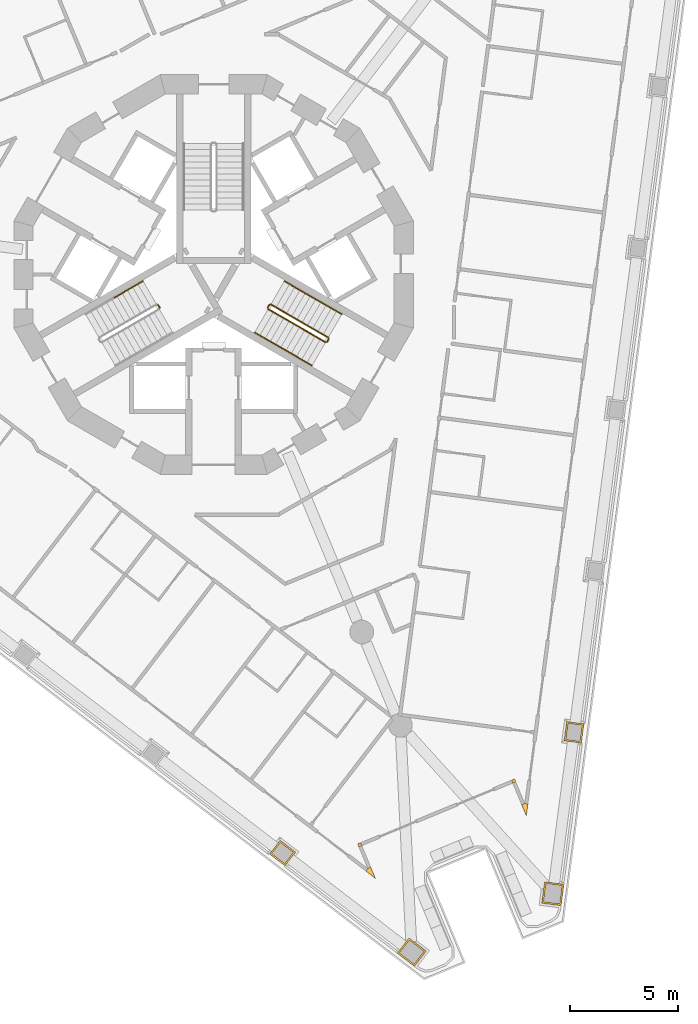
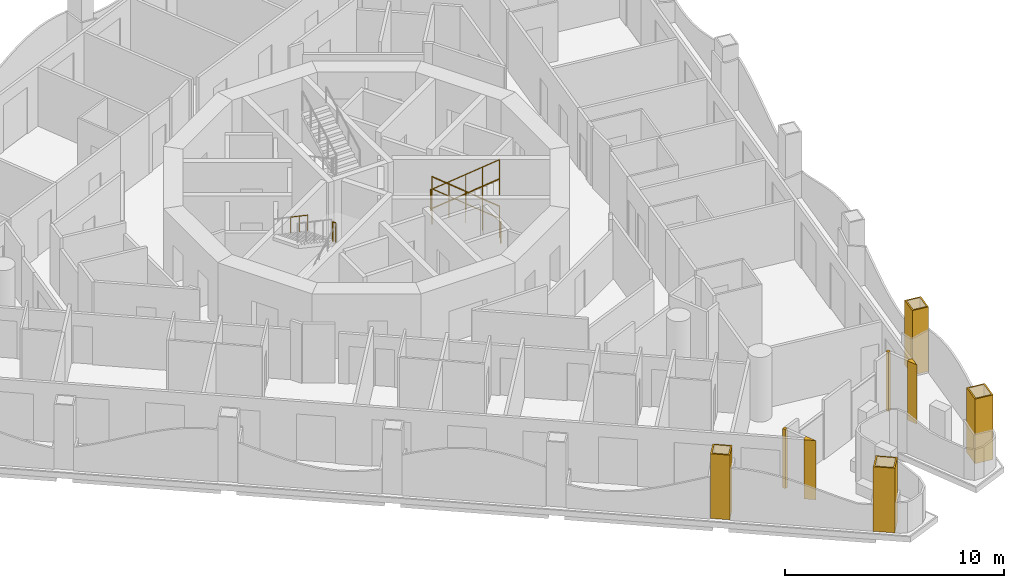
# One storey, part 13 of 17: 10 railings, 8 coverings.
"""IFC4 building model written with IfcOpenShell, lengths in metres."""

from ifc_helpers import new_model, si_unit, direction, frame, origin, origin_2d, place, context, subcontext, project, spatial, polyline, circle, outline, extrude, material, layer, layer_set, type_object, element, save


model = new_model("IFC4")

# Units and contexts
model_context = context("Model", 3, precision=1e-05, world=origin(), true_north=direction((0.0, 1.0)))
body_context = subcontext(model_context, "Body", "Model", "MODEL_VIEW")
ifc_project = project(units=[si_unit("LENGTHUNIT", "METRE"), si_unit("AREAUNIT", "SQUARE_METRE"), si_unit("VOLUMEUNIT", "CUBIC_METRE"), si_unit("PLANEANGLEUNIT", "RADIAN"), si_unit("MASSUNIT", "GRAM", prefix="KILO")], contexts=[model_context])

# Site, building, storey
site_placement = place(None, origin())
site = spatial("IfcSite", under=ifc_project, at=site_placement, CompositionType="ELEMENT")
building_placement = place(site_placement, origin())
building = spatial("IfcBuilding", under=site, at=building_placement, Name="Trine Commons Tower", CompositionType="ELEMENT")
storey_placement = place(building_placement, frame((0.0, 0.0, 127.800048828125)))
storey = spatial("IfcBuildingStorey", under=building, at=storey_placement, Name="L32", CompositionType="ELEMENT", Elevation=127.800048828125)

# Coverings
ifc_material_1 = material(Name="Aluminium-framed insulated wall panel", Category="aluminium")
ifc_layer_1 = layer(ifc_material_1, 0.14990234375)
ifc_layer_set_1 = layer_set([ifc_layer_1], Name="Aluminium-framed insulated wall panel")
covering_type_1 = type_object("IfcCoveringType", Name="Glazing corner post, aluminium", PredefinedType="CLADDING", material=ifc_layer_set_1)
covering_1_placement = place(storey_placement, origin())
element("IfcCovering", 1, at=covering_1_placement, inside=storey, type_object=covering_type_1, Name="Glazing corner post 4-09", PredefinedType="CLADDING", context=body_context, shape_type="SweptSolid", body=[
    extrude(outline(polyline([(94.2939453125, 37.89501953125), (94.50830078125, 37.377685546875), (94.581298828125, 37.932861328125), (94.4326171875, 37.952392578125), (94.4326171875, 37.952392578125), (94.2939453125, 37.89501953125)])), origin(), (0.0, 0.0, 1.0), 3.300048828125),
])
covering_2_placement = place(storey_placement, origin())
element("IfcCovering", 2, at=covering_2_placement, inside=storey, type_object=covering_type_1, Name="Glazing corner post 4-10", PredefinedType="CLADDING", context=body_context, shape_type="SweptSolid", body=[
    extrude(outline(polyline([(93.821044921875, 39.03662109375), (93.87841796875, 38.89794921875), (93.87841796875, 38.89794921875), (94.01708984375, 38.955322265625), (93.959716796875, 39.093994140625), (93.821044921875, 39.03662109375)])), origin(), (0.0, 0.0, 1.0), 3.300048828125),
])
covering_3_placement = place(storey_placement, origin())
element("IfcCovering", 3, at=covering_3_placement, inside=storey, type_object=covering_type_1, Name="Glazing corner post 4-11", PredefinedType="CLADDING", context=body_context, shape_type="SweptSolid", body=[
    extrude(outline(polyline([(86.73681640625, 35.93994140625), (86.87548828125, 35.997314453125), (86.818115234375, 36.135986328125), (86.679443359375, 36.07861328125), (86.73681640625, 35.93994140625)])), origin(), (0.0, 0.0, 1.0), 3.300048828125),
])
covering_4_placement = place(storey_placement, origin())
element("IfcCovering", 4, at=covering_4_placement, inside=storey, type_object=covering_type_1, Name="Glazing corner post 4-12", PredefinedType="CLADDING", context=body_context, shape_type="SweptSolid", body=[
    extrude(outline(polyline([(87.06103515625, 34.81787109375), (87.505126953125, 34.47705078125), (87.291015625, 34.994140625), (87.15234375, 34.936767578125), (87.06103515625, 34.81787109375)])), origin(), (0.0, 0.0, 1.0), 3.300048828125),
])
ifc_material_2 = material(Name="Limestone, honed", Category="masonry")
ifc_layer_2 = layer(ifc_material_2, 0.074951171875)
ifc_layer_set_2 = layer_set([ifc_layer_2], Name="Limestone, honed")
covering_type_2 = type_object("IfcCoveringType", Name="Limestone column cladding 75", PredefinedType="CLADDING", material=ifc_layer_set_2)
covering_5_placement = place(storey_placement, origin())
element("IfcCovering", 5, at=covering_5_placement, inside=storey, type_object=covering_type_2, Name="Limestone pier cladding 4-01", PredefinedType="CLADDING", context=body_context, shape_type="SweptSolid", body=[
    extrude(outline(polyline([(89.065673828125, 31.716796875), (88.517578125, 31.002685546875), (89.31103515625, 30.39404296875), (89.85888671875, 31.10791015625), (89.065673828125, 31.716796875)]), holes=[polyline([(89.079345703125, 31.611572265625), (88.622802734375, 31.0166015625), (89.297119140625, 30.499267578125), (89.75390625, 31.09423828125), (89.079345703125, 31.611572265625)])]), origin(), (0.0, 0.0, 1.0), 3.599853515625),
])
covering_6_placement = place(storey_placement, origin())
element("IfcCovering", 6, at=covering_6_placement, inside=storey, type_object=covering_type_2, Name="Limestone pier cladding 4-02", PredefinedType="CLADDING", context=body_context, shape_type="SweptSolid", body=[
    extrude(outline(polyline([(83.08349609375, 36.243896484375), (82.596435546875, 35.609375), (83.310302734375, 35.061279296875), (83.79736328125, 35.696044921875), (83.08349609375, 36.243896484375)]), holes=[polyline([(83.09716796875, 36.138916015625), (82.701416015625, 35.623046875), (83.296630859375, 35.16650390625), (83.6923828125, 35.682373046875), (83.09716796875, 36.138916015625)])]), origin(), (0.0, 0.0, 1.0), 3.599853515625),
])
covering_7_placement = place(storey_placement, origin())
element("IfcCovering", 7, at=covering_7_placement, inside=storey, type_object=covering_type_2, Name="Limestone pier cladding 4-23", PredefinedType="CLADDING", context=body_context, shape_type="SweptSolid", body=[
    extrude(outline(polyline([(97.1787109375, 41.6494140625), (96.385498046875, 41.75390625), (96.26806640625, 40.86181640625), (97.06103515625, 40.757080078125), (97.1787109375, 41.6494140625)]), holes=[polyline([(97.094482421875, 41.5849609375), (96.449951171875, 41.669921875), (96.35205078125, 40.92626953125), (96.99658203125, 40.84130859375), (97.094482421875, 41.5849609375)])]), origin(), (0.0, 0.0, 1.0), 3.599853515625),
])
covering_8_placement = place(storey_placement, origin())
element("IfcCovering", 8, at=covering_8_placement, inside=storey, type_object=covering_type_2, Name="Limestone pier cladding 4-24", PredefinedType="CLADDING", context=body_context, shape_type="SweptSolid", body=[
    extrude(outline(polyline([(96.2490234375, 34.205078125), (95.356689453125, 34.32275390625), (95.226318359375, 33.331298828125), (96.118408203125, 33.213623046875), (96.2490234375, 34.205078125)]), holes=[polyline([(96.164794921875, 34.140625), (95.42138671875, 34.238525390625), (95.310302734375, 33.395751953125), (96.053955078125, 33.2978515625), (96.164794921875, 34.140625)])]), origin(), (0.0, 0.0, 1.0), 3.599853515625),
])

# Railings
ifc_material_3 = material(Name="Stainless steel balustrade", Category="steel")
railing_type_1 = type_object("IfcRailingType", Name="Stair guard, steel balustrade 1100", PredefinedType="GUARDRAIL", material=ifc_material_3)
railing_1_placement = place(storey_placement, frame((77.490966796875, 60.96484375, 1.800048828125)))
element("IfcRailing", 9, at=railing_1_placement, inside=storey, type_object=railing_type_1, Name="L32 ST2B stair guard 2", PredefinedType="GUARDRAIL", context=body_context, shape_type="SweptSolid", body=[
    extrude(circle(Radius=0.02392578125, at=origin_2d()), frame((0.0, 0.0, 1.076171875), z_axis=(-0.501036270542, 0.865426285481, 0.0), x_axis=(-0.865426285481, -0.501036270542, 0.0)), (0.0, 0.0, 1.0), 0.150146484375),
    extrude(circle(Radius=0.02099609375, at=origin_2d()), origin(), (0.0, 0.0, 1.0), 1.052001953125),
    extrude(circle(Radius=0.02099609375, at=origin_2d()), frame((-0.0751953125, 0.1298828125, 0.0)), (0.0, 0.0, 1.0), 1.052001953125),
])
railing_2_placement = place(storey_placement, frame((85.31982421875, 59.572998046875, 0.14990234375)))
element("IfcRailing", 10, at=railing_2_placement, inside=storey, type_object=railing_type_1, Name="L32 ST3B stair guard 1", PredefinedType="GUARDRAIL", context=body_context, shape_type="SweptSolid", body=[
    extrude(circle(Radius=0.02392578125, at=origin_2d()), frame((0.0, 0.0, 1.076171875), z_axis=(-0.763379768245, 0.440728498818, 0.472239049384), x_axis=(-0.499992328818, -0.866029832698, 0.0)), (0.0, 0.0, 1.0), 3.494384765625),
    extrude(circle(Radius=0.02099609375, at=origin_2d()), origin(), (0.0, 0.0, 1.0), 1.052001953125),
    extrude(circle(Radius=0.02099609375, at=origin_2d()), frame((-0.6669921875, 0.385009765625, 0.41259765625)), (0.0, 0.0, 1.0), 1.052001953125),
    extrude(circle(Radius=0.02099609375, at=origin_2d()), frame((-1.333740234375, 0.77001953125, 0.8251953125)), (0.0, 0.0, 1.0), 1.052001953125),
    extrude(circle(Radius=0.02099609375, at=origin_2d()), frame((-2.00048828125, 1.155029296875, 1.237548828125)), (0.0, 0.0, 1.0), 1.052001953125),
    extrude(circle(Radius=0.02099609375, at=origin_2d()), frame((-2.66748046875, 1.5400390625, 1.650146484375)), (0.0, 0.0, 1.0), 1.052001953125),
])
railing_3_placement = place(storey_placement, frame((82.584228515625, 61.0947265625, 1.800048828125)))
element("IfcRailing", 11, at=railing_3_placement, inside=storey, type_object=railing_type_1, Name="L32 ST3B stair guard 2", PredefinedType="GUARDRAIL", context=body_context, shape_type="SweptSolid", body=[
    extrude(circle(Radius=0.02392578125, at=origin_2d()), frame((0.0, 0.0, 1.076171875), z_axis=(-0.501036270542, -0.865426285481, 0.0), x_axis=(0.865426285481, -0.501036270542, 0.0)), (0.0, 0.0, 1.0), 0.150146484375),
    extrude(circle(Radius=0.02099609375, at=origin_2d()), origin(), (0.0, 0.0, 1.0), 1.052001953125),
    extrude(circle(Radius=0.02099609375, at=origin_2d()), frame((-0.0751953125, -0.1298828125, 0.0)), (0.0, 0.0, 1.0), 1.052001953125),
])
railing_4_placement = place(storey_placement, frame((82.52734375, 60.896484375, 1.949951171875)))
element("IfcRailing", 12, at=railing_4_placement, inside=storey, type_object=railing_type_1, Name="L32 ST3B stair guard 3", PredefinedType="GUARDRAIL", context=body_context, shape_type="SweptSolid", body=[
    extrude(circle(Radius=0.02392578125, at=origin_2d()), frame((0.0, 0.0, 1.076171875), z_axis=(0.76340495495, -0.440743040072, 0.472184759798), x_axis=(0.499992328818, 0.866029832698, 0.0)), (0.0, 0.0, 1.0), 3.494140625),
    extrude(circle(Radius=0.02099609375, at=origin_2d()), origin(), (0.0, 0.0, 1.0), 1.052001953125),
    extrude(circle(Radius=0.02099609375, at=origin_2d()), frame((0.6669921875, -0.385009765625, 0.41259765625)), (0.0, 0.0, 1.0), 1.052001953125),
    extrude(circle(Radius=0.02099609375, at=origin_2d()), frame((1.333740234375, -0.77001953125, 0.824951171875)), (0.0, 0.0, 1.0), 1.052001953125),
    extrude(circle(Radius=0.02099609375, at=origin_2d()), frame((2.00048828125, -1.155029296875, 1.2373046875)), (0.0, 0.0, 1.0), 1.052001953125),
    extrude(circle(Radius=0.02099609375, at=origin_2d()), frame((2.66748046875, -1.5400390625, 1.64990234375)), (0.0, 0.0, 1.0), 1.052001953125),
])
railing_5_placement = place(storey_placement, frame((85.338134765625, 59.504638671875, 0.0)))
element("IfcRailing", 13, at=railing_5_placement, inside=storey, type_object=railing_type_1, Name="L32 ST3B stair guard 4", PredefinedType="GUARDRAIL", context=body_context, shape_type="SweptSolid", body=[
    extrude(circle(Radius=0.02392578125, at=origin_2d()), frame((0.0, 0.0, 1.076171875), z_axis=(-0.499816412211, -0.866131372301, 0.0), x_axis=(0.866131372301, -0.499816412211, 0.0)), (0.0, 0.0, 1.0), 0.14990234375),
    extrude(circle(Radius=0.02099609375, at=origin_2d()), origin(), (0.0, 0.0, 1.0), 1.052001953125),
    extrude(circle(Radius=0.02099609375, at=origin_2d()), frame((-0.074951171875, -0.1298828125, 0.0)), (0.0, 0.0, 1.0), 1.052001953125),
])
ifc_material_4 = material(Name="Stainless steel handrail", Category="steel")
railing_type_2 = type_object("IfcRailingType", Name="Stair handrail, steel 900", PredefinedType="HANDRAIL", material=ifc_material_4)
railing_6_placement = place(storey_placement, frame((76.72265625, 62.195556640625, 1.949951171875)))
element("IfcRailing", 14, at=railing_6_placement, inside=storey, type_object=railing_type_2, Name="L32 ST2B stair handrail 3", PredefinedType="HANDRAIL", context=body_context, shape_type="SweptSolid", body=[
    extrude(circle(Radius=0.02099609375, at=origin_2d()), frame((0.0, 0.0, 0.87890625), z_axis=(-0.76340495495, -0.440743040072, 0.472184759798), x_axis=(0.499992328818, -0.866029832698, 0.0)), (0.0, 0.0, 1.0), 1.7470703125),
    extrude(circle(Radius=0.01513671875, at=origin_2d()), origin(), (0.0, 0.0, 1.0), 0.85791015625),
    extrude(circle(Radius=0.01513671875, at=origin_2d()), frame((-0.6669921875, -0.385009765625, 0.41259765625)), (0.0, 0.0, 1.0), 0.85791015625),
    extrude(circle(Radius=0.01513671875, at=origin_2d()), frame((-1.333740234375, -0.77001953125, 0.824951171875)), (0.0, 0.0, 1.0), 0.85791015625),
])
railing_7_placement = place(storey_placement, frame((85.94482421875, 60.655517578125, 0.14990234375)))
element("IfcRailing", 15, at=railing_7_placement, inside=storey, type_object=railing_type_2, Name="L32 ST3B stair handrail 1", PredefinedType="HANDRAIL", context=body_context, shape_type="SweptSolid", body=[
    extrude(circle(Radius=0.02099609375, at=origin_2d()), frame((0.0, 0.0, 0.87890625), z_axis=(-0.76340495495, 0.440743040072, 0.472184759798), x_axis=(-0.499992328818, -0.866029832698, 0.0)), (0.0, 0.0, 1.0), 1.7470703125),
    extrude(circle(Radius=0.01513671875, at=origin_2d()), origin(), (0.0, 0.0, 1.0), 0.85791015625),
    extrude(circle(Radius=0.01513671875, at=origin_2d()), frame((-0.6669921875, 0.385009765625, 0.41259765625)), (0.0, 0.0, 1.0), 0.85791015625),
    extrude(circle(Radius=0.01513671875, at=origin_2d()), frame((-1.333740234375, 0.77001953125, 0.824951171875)), (0.0, 0.0, 1.0), 0.85791015625),
])
railing_8_placement = place(storey_placement, frame((84.611083984375, 61.425537109375, 0.974853515625)))
element("IfcRailing", 16, at=railing_8_placement, inside=storey, type_object=railing_type_2, Name="L32 ST3B stair handrail 2", PredefinedType="HANDRAIL", context=body_context, shape_type="SweptSolid", body=[
    extrude(circle(Radius=0.02099609375, at=origin_2d()), frame((0.0, 0.0, 0.87890625), z_axis=(-0.763354580307, 0.440713956853, 0.472293333596), x_axis=(-0.499992328818, -0.866029832698, 0.0)), (0.0, 0.0, 1.0), 1.747314453125),
    extrude(circle(Radius=0.01513671875, at=origin_2d()), origin(), (0.0, 0.0, 1.0), 0.85791015625),
    extrude(circle(Radius=0.01513671875, at=origin_2d()), frame((-0.6669921875, 0.385009765625, 0.41259765625)), (0.0, 0.0, 1.0), 0.85791015625),
    extrude(circle(Radius=0.01513671875, at=origin_2d()), frame((-1.333740234375, 0.77001953125, 0.8251953125)), (0.0, 0.0, 1.0), 0.85791015625),
])
for number, where, name in (
    (17, (81.90234375, 59.81396484375, 1.949951171875), "L32 ST3B stair handrail 3"),
    (18, (83.236083984375, 59.0439453125, 2.77490234375), "L32 ST3B stair handrail 4"),
):
    element("IfcRailing", number, at=place(storey_placement, frame(where)), inside=storey, type_object=railing_type_2, Name=name, PredefinedType="HANDRAIL", context=body_context, shape_type="SweptSolid", body=[
        extrude(circle(Radius=0.02099609375, at=origin_2d()), frame((0.0, 0.0, 0.87890625), z_axis=(0.76340495495, -0.440743040072, 0.472184759798), x_axis=(0.499992328818, 0.866029832698, 0.0)), (0.0, 0.0, 1.0), 1.7470703125),
        extrude(circle(Radius=0.01513671875, at=origin_2d()), origin(), (0.0, 0.0, 1.0), 0.85791015625),
        extrude(circle(Radius=0.01513671875, at=origin_2d()), frame((0.6669921875, -0.385009765625, 0.41259765625)), (0.0, 0.0, 1.0), 0.85791015625),
        extrude(circle(Radius=0.01513671875, at=origin_2d()), frame((1.333740234375, -0.77001953125, 0.824951171875)), (0.0, 0.0, 1.0), 0.85791015625),
    ])

save(model, "model.ifc")
